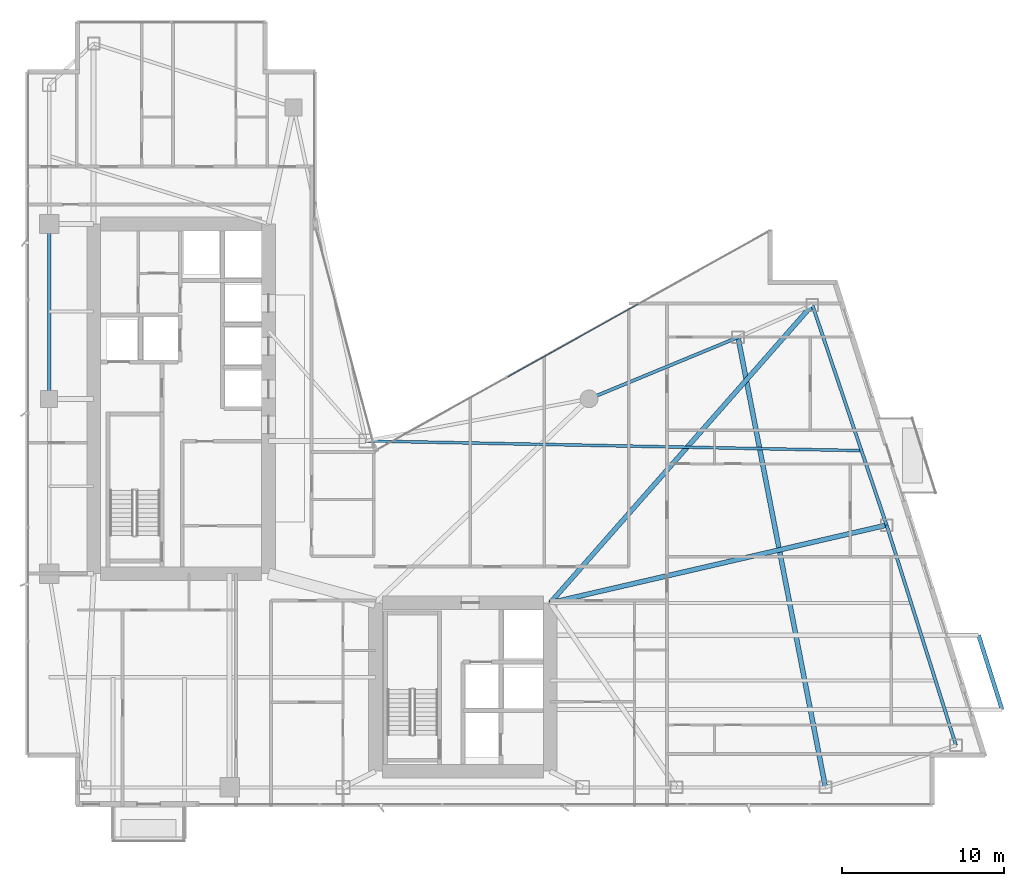
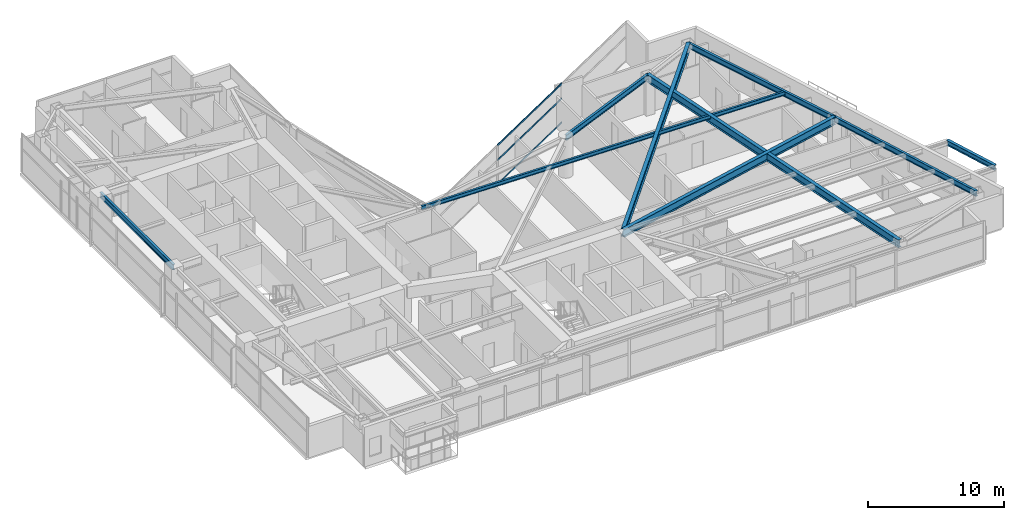
# One storey, part 15 of 28: 9 beams, 3 members, 1 element without a shape of its own.
"""IFC4 building model written with IfcOpenShell, lengths in metres."""

from ifc_helpers import new_model, si_unit, direction, frame, origin, origin_2d, place, context, subcontext, project, spatial, hollow_rectangle, i_section, extrude, material, layer, layer_set, material_profile, profile_set, type_object, element, aggregate, save


model = new_model("IFC4")

# Units and contexts
model_context = context("Model", 3, precision=1e-05, world=origin(), true_north=direction((0.0, 1.0)))
body_context = subcontext(model_context, "Body", "Model", "MODEL_VIEW")
ifc_project = project(units=[si_unit("LENGTHUNIT", "METRE"), si_unit("AREAUNIT", "SQUARE_METRE"), si_unit("VOLUMEUNIT", "CUBIC_METRE"), si_unit("PLANEANGLEUNIT", "RADIAN"), si_unit("MASSUNIT", "GRAM", prefix="KILO")], contexts=[model_context])

# Site, building, storey
site_placement = place(None, origin())
site = spatial("IfcSite", under=ifc_project, at=site_placement, CompositionType="ELEMENT")
building_placement = place(site_placement, origin())
building = spatial("IfcBuilding", under=site, at=building_placement, Name="Calvorn Quay Hotel", CompositionType="ELEMENT")
storey_placement = place(building_placement, frame((0.0, 0.0, 116.39990234375)))
storey = spatial("IfcBuildingStorey", under=building, at=storey_placement, Name="L28", CompositionType="ELEMENT", Elevation=116.39990234375)

# Beams
ifc_material_1 = material(Name="Steel Q355B", Category="steel")
ifc_material_profile_1 = material_profile(ifc_material_1, i_section(OverallWidth=0.25, OverallDepth=0.449951171875, WebThickness=0.011962890625, FlangeThickness=0.01611328125, FilletRadius=0.01611328125, at=origin_2d()), Name="HN450x250x12x16")
ifc_profile_set_1 = profile_set([ifc_material_profile_1], Name="Steel Q355B")
beam_type_1 = type_object("IfcBeamType", Name="BM-CANT-BALC", PredefinedType="BEAM", material=ifc_profile_set_1)
beam_1_placement = place(storey_placement, frame((60.30810546875, 8.39990234375, 3.315185546875), z_axis=(-0.300666214801, 0.953729430854, 0.0), x_axis=(-0.953729430854, -0.300666214801, 0.0)))
element("IfcBeam", 1, at=beam_1_placement, inside=storey, type_object=beam_type_1, Name="Beam BCBO-L29-1", PredefinedType="BEAM", context=body_context, shape_type="SweptSolid", body=[
    extrude(i_section(OverallWidth=0.25, OverallDepth=0.449951171875, WebThickness=0.011962890625, FlangeThickness=0.01611328125, FilletRadius=0.01611328125, at=origin_2d()), origin(), (0.0, 0.0, 1.0), 4.8232421875),
])
ifc_material_2 = material(Name="Steel Q390GJC", Category="steel")
ifc_material_profile_2 = material_profile(ifc_material_2, i_section(OverallWidth=0.300048828125, OverallDepth=0.699951171875, WebThickness=0.012939453125, FlangeThickness=0.02392578125, FilletRadius=0.02392578125, at=origin_2d()), Name="HN700x300x13x24")
ifc_profile_set_2 = profile_set([ifc_material_profile_2], Name="Steel Q390GJC")
beam_type_2 = type_object("IfcBeamType", Name="BM-GIRD-MAIN", PredefinedType="BEAM", material=ifc_profile_set_2)
beam_2_placement = place(storey_placement, frame((32.39990234375, 15.0, 3.190185546875), z_axis=(0.974334045812, 0.225107012711, 0.0), x_axis=(-0.225107012711, 0.974334045812, 0.0)))
element("IfcBeam", 2, at=beam_2_placement, inside=storey, type_object=beam_type_2, Name="Beam BG-L28-E2", PredefinedType="BEAM", context=body_context, shape_type="SweptSolid", body=[
    extrude(i_section(OverallWidth=0.300048828125, OverallDepth=0.699951171875, WebThickness=0.012939453125, FlangeThickness=0.02392578125, FilletRadius=0.02392578125, at=origin_2d()), origin(), (0.0, 0.0, 1.0), 21.323486328125),
])
beam_3_placement = place(storey_placement, frame((32.39990234375, 15.0, 3.190185546875), z_axis=(0.660610604248, 0.750728732336, 0.0), x_axis=(-0.750728732336, 0.660610604248, 0.0)))
element("IfcBeam", 3, at=beam_3_placement, inside=storey, type_object=beam_type_2, Name="Beam BG-L28-E3", PredefinedType="BEAM", context=body_context, shape_type="SweptSolid", body=[
    extrude(i_section(OverallWidth=0.300048828125, OverallDepth=0.699951171875, WebThickness=0.012939453125, FlangeThickness=0.02392578125, FilletRadius=0.02392578125, at=origin_2d()), origin(), (0.0, 0.0, 1.0), 24.50927734375),
])
beam_4_placement = place(storey_placement, frame((49.39990234375, 3.60009765625, 3.190185546875), z_axis=(-0.190678596862, 0.981652521363, 0.0), x_axis=(-0.981652521363, -0.190678596862, 0.0)))
element("IfcBeam", 4, at=beam_4_placement, inside=storey, type_object=beam_type_2, Name="Beam BG-L28-E5", PredefinedType="BEAM", context=body_context, shape_type="SweptSolid", body=[
    extrude(i_section(OverallWidth=0.300048828125, OverallDepth=0.699951171875, WebThickness=0.012939453125, FlangeThickness=0.02392578125, FilletRadius=0.02392578125, at=origin_2d()), origin(), (0.0, 0.0, 1.0), 28.3193359375),
])
ifc_material_3 = material(Name="Steel Q355B", Category="steel")
ifc_material_profile_3 = material_profile(ifc_material_3, i_section(OverallWidth=0.175048828125, OverallDepth=0.35009765625, WebThickness=0.007080078125, FlangeThickness=0.010986328125, FilletRadius=0.013916015625, at=origin_2d()), Name="HN350x175x7x11")
ifc_profile_set_3 = profile_set([ifc_material_profile_3], Name="Steel Q355B")
beam_type_3 = type_object("IfcBeamType", Name="BM-JOIST-SEC", PredefinedType="JOIST", material=ifc_profile_set_3)
beam_5_placement = place(storey_placement, frame((21.0, 25.0, 3.364990234375), z_axis=(0.999809345134, -0.019526222968, 0.0), x_axis=(0.019526222968, 0.999809345134, 0.0)))
element("IfcBeam", 5, at=beam_5_placement, inside=storey, type_object=beam_type_3, Name="Beam BJ-L28-E3", PredefinedType="JOIST", context=body_context, shape_type="SweptSolid", body=[
    extrude(i_section(OverallWidth=0.175048828125, OverallDepth=0.35009765625, WebThickness=0.007080078125, FlangeThickness=0.010986328125, FilletRadius=0.013916015625, at=origin_2d()), origin(), (0.0, 0.0, 1.0), 30.73291015625),
])
ifc_material_4 = material(Name="Steel Q355B", Category="steel")
ifc_material_profile_4 = material_profile(ifc_material_4, i_section(OverallWidth=0.199951171875, OverallDepth=0.5, WebThickness=0.010009765625, FlangeThickness=0.01611328125, FilletRadius=0.01611328125, at=origin_2d()), Name="HN500x200x10x16")
ifc_profile_set_4 = profile_set([ifc_material_profile_4], Name="Steel Q355B")
beam_type_4 = type_object("IfcBeamType", Name="BM-SPANDREL-Z1", PredefinedType="SPANDREL", material=ifc_profile_set_4)
beam_6_placement = place(storey_placement, frame((1.449951171875, 27.60009765625, 3.2900390625), z_axis=(0.0, 1.0, 0.0), x_axis=(-1.0, 0.0, 0.0)))
element("IfcBeam", 6, at=beam_6_placement, inside=storey, type_object=beam_type_4, Name="Beam BSP-L28-W3", PredefinedType="SPANDREL", context=body_context, shape_type="SweptSolid", body=[
    extrude(i_section(OverallWidth=0.199951171875, OverallDepth=0.5, WebThickness=0.010009765625, FlangeThickness=0.01611328125, FilletRadius=0.01611328125, at=origin_2d()), origin(), (0.0, 0.0, 1.0), 10.7998046875),
])
beam_7_placement = place(storey_placement, frame((57.4609375, 6.199951171875, 3.2900390625), z_axis=(-0.300502802767, 0.953780931624, 0.0), x_axis=(-0.953780931624, -0.300502802767, 0.0)))
element("IfcBeam", 7, at=beam_7_placement, inside=storey, type_object=beam_type_4, Name="Beam BSP-L28-E1", PredefinedType="SPANDREL", context=body_context, shape_type="SweptSolid", body=[
    extrude(i_section(OverallWidth=0.199951171875, OverallDepth=0.5, WebThickness=0.010009765625, FlangeThickness=0.01611328125, FilletRadius=0.01611328125, at=origin_2d()), origin(), (0.0, 0.0, 1.0), 14.259033203125),
])
beam_8_placement = place(storey_placement, frame((53.176025390625, 19.800048828125, 3.2900390625), z_axis=(-0.319466515944, 0.947597564998, 0.0), x_axis=(-0.947597564998, -0.319466515944, 0.0)))
element("IfcBeam", 8, at=beam_8_placement, inside=storey, type_object=beam_type_4, Name="Beam BSP-L28-E2", PredefinedType="SPANDREL", context=body_context, shape_type="SweptSolid", body=[
    extrude(i_section(OverallWidth=0.199951171875, OverallDepth=0.5, WebThickness=0.010009765625, FlangeThickness=0.01611328125, FilletRadius=0.01611328125, at=origin_2d()), origin(), (0.0, 0.0, 1.0), 14.35205078125),
])
beam_9_placement = place(storey_placement, frame((44.0, 31.39990234375, 3.2900390625), z_axis=(-0.92426763497, -0.381745123017, 0.0), x_axis=(0.381745123017, -0.92426763497, 0.0)))
element("IfcBeam", 9, at=beam_9_placement, inside=storey, type_object=beam_type_4, Name="Beam BSP-L28-E4", PredefinedType="SPANDREL", context=body_context, shape_type="SweptSolid", body=[
    extrude(i_section(OverallWidth=0.199951171875, OverallDepth=0.5, WebThickness=0.010009765625, FlangeThickness=0.01611328125, FilletRadius=0.01611328125, at=origin_2d()), origin(), (0.0, 0.0, 1.0), 9.953857421875),
])

# Curtain wall, members
ifc_material_5 = material(Name="Pale Anodised Aluminium and Low-E Glass", Category="aluminium")
ifc_layer = layer(ifc_material_5, 0.219970703125)
ifc_layer_set = layer_set([ifc_layer], Name="CW-SYS-Z2")
curtain_wall_type = type_object("IfcCurtainWallType", Name="CW-SYS-Z2", PredefinedType="NOTDEFINED", material=ifc_layer_set)
curtain_wall_placement = place(storey_placement, origin())
curtain_wall = element("IfcCurtainWall", 10, at=curtain_wall_placement, inside=storey, type_object=curtain_wall_type, Name="Inner Court Curtain Wall L28-NE1", PredefinedType="NOTDEFINED")
ifc_material_6 = material(Name="Pale Anodised Aluminium 6063-T6", Category="aluminium")
ifc_material_profile_5 = material_profile(ifc_material_6, hollow_rectangle(XDim=0.06005859375, YDim=0.14990234375, WallThickness=0.00341796875, at=origin_2d()), Name="ALU-T150x60x3.5")
ifc_profile_set_5 = profile_set([ifc_material_profile_5], Name="Pale Anodised Aluminium 6063-T6")
member_type = type_object("IfcMemberType", Name="CW-SYS-Z2-TRN", PredefinedType="USERDEFINED", material=ifc_profile_set_5)
member_1_placement = place(storey_placement, frame((37.840576171875, 33.4521484375, 0.030029296875), z_axis=(-0.873483012802, -0.486854625474, 0.0), x_axis=(0.486854625474, -0.873483012802, 0.0)))
member_1 = element("IfcMember", 11, at=member_1_placement, type_object=member_type, Name="CW-L28-NE1 transom 2.1", ObjectType="TRANSOM", PredefinedType="USERDEFINED", context=body_context, shape_type="SweptSolid", body=[
    extrude(hollow_rectangle(XDim=0.06005859375, YDim=0.14990234375, WallThickness=0.00341796875, at=origin_2d()), origin(), (0.0, 0.0, 1.0), 9.25146484375),
])
member_2_placement = place(storey_placement, frame((37.840576171875, 33.4521484375, 2.2001953125), z_axis=(-0.873483012802, -0.486854625474, 0.0), x_axis=(0.486854625474, -0.873483012802, 0.0)))
member_2 = element("IfcMember", 12, at=member_2_placement, type_object=member_type, Name="CW-L28-NE1 transom 2.2", ObjectType="TRANSOM", PredefinedType="USERDEFINED", context=body_context, shape_type="SweptSolid", body=[
    extrude(hollow_rectangle(XDim=0.06005859375, YDim=0.14990234375, WallThickness=0.00341796875, at=origin_2d()), origin(), (0.0, 0.0, 1.0), 9.25146484375),
])
member_3_placement = place(storey_placement, frame((37.840576171875, 33.4521484375, 3.530029296875), z_axis=(-0.873483012802, -0.486854625474, 0.0), x_axis=(0.486854625474, -0.873483012802, 0.0)))
member_3 = element("IfcMember", 13, at=member_3_placement, type_object=member_type, Name="CW-L28-NE1 transom 2.3", ObjectType="TRANSOM", PredefinedType="USERDEFINED", context=body_context, shape_type="SweptSolid", body=[
    extrude(hollow_rectangle(XDim=0.06005859375, YDim=0.14990234375, WallThickness=0.00341796875, at=origin_2d()), origin(), (0.0, 0.0, 1.0), 9.25146484375),
])
aggregate(curtain_wall, [member_1, member_2, member_3])

save(model, "model.ifc")
